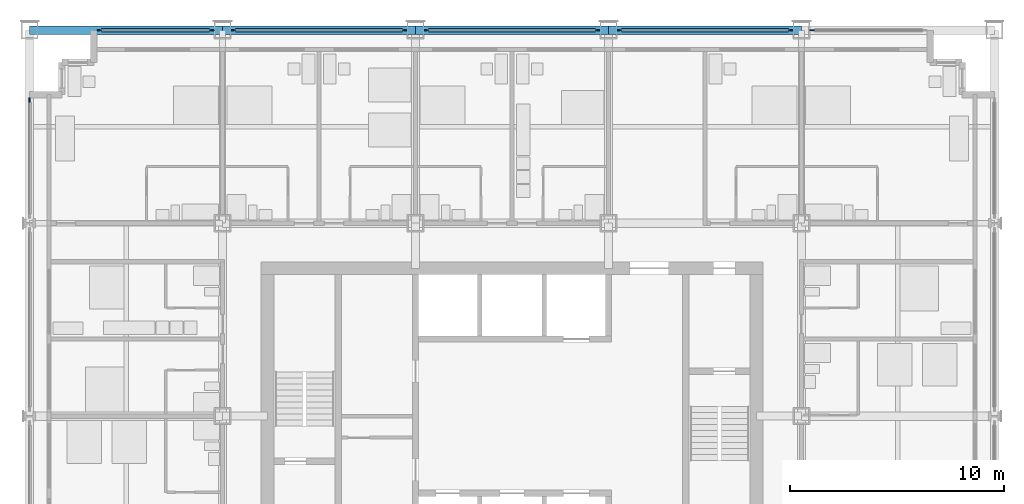
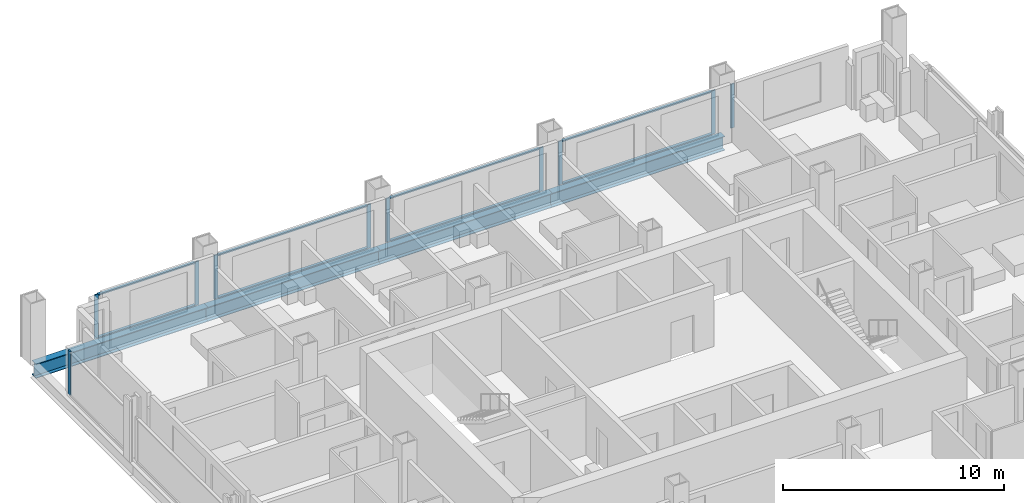
# One storey, part 6 of 17: 18 members, 4 beams, 6 elements without a shape of their own.
"""IFC4 building model written with IfcOpenShell, lengths in metres."""

from ifc_helpers import new_model, si_unit, direction, frame, origin, origin_2d, place, context, subcontext, project, spatial, rectangle, i_section, extrude, material, material_profile, profile_set, type_object, element, aggregate, save


model = new_model("IFC4")

# Units and contexts
model_context = context("Model", 3, precision=1e-05, world=origin(), true_north=direction((0.0, 1.0)))
body_context = subcontext(model_context, "Body", "Model", "MODEL_VIEW")
ifc_project = project(units=[si_unit("LENGTHUNIT", "METRE"), si_unit("AREAUNIT", "SQUARE_METRE"), si_unit("VOLUMEUNIT", "CUBIC_METRE"), si_unit("PLANEANGLEUNIT", "RADIAN"), si_unit("MASSUNIT", "GRAM", prefix="KILO")], contexts=[model_context])

# Site, building, storey
site_placement = place(None, origin())
site = spatial("IfcSite", under=ifc_project, at=site_placement, CompositionType="ELEMENT")
building_placement = place(site_placement, origin())
building = spatial("IfcBuilding", under=site, at=building_placement, Name="Loomwork Tower", CompositionType="ELEMENT")
storey_placement = place(building_placement, frame((0.0, 0.0, 141.800048828125)))
storey = spatial("IfcBuildingStorey", under=building, at=storey_placement, Name="L38", CompositionType="ELEMENT", Elevation=141.800048828125)

# Curtain wall, members
ifc_material_1 = material(Name="Aluminium curtain wall frame", Category="aluminium")
curtain_wall_type = type_object("IfcCurtainWallType", Name="Outer skin glazing hotel", PredefinedType="NOTDEFINED", material=ifc_material_1)
curtain_wall_1_placement = place(storey_placement, origin())
curtain_wall_1 = element("IfcCurtainWall", 1, at=curtain_wall_1_placement, inside=storey, type_object=curtain_wall_type, Name="Outer skin glazing hotel cw/N-0", PredefinedType="NOTDEFINED")
ifc_material_2 = material(Name="Aluminium curtain wall frame", Category="aluminium")
ifc_material_profile_1 = material_profile(ifc_material_2, rectangle(XDim=0.06494140625, YDim=0.199951171875, at=origin_2d()), Name="AL 65x200")
ifc_profile_set_1 = profile_set([ifc_material_profile_1], Name="Aluminium curtain wall frame")
member_type_1 = type_object("IfcMemberType", Name="Outer skin glazing hotel mullion", PredefinedType="MULLION", material=ifc_profile_set_1)
member_1_placement = place(storey_placement, frame((8.5, 36.0, 0.0), z_axis=(0.0, 0.0, 1.0), x_axis=(0.0, -1.0, 0.0)))
member_1 = element("IfcMember", 2, at=member_1_placement, type_object=member_type_1, Name="CW1 mullion 1", PredefinedType="MULLION", context=body_context, shape_type="SweptSolid", body=[
    extrude(rectangle(XDim=0.06494140625, YDim=0.199951171875, at=origin_2d()), origin(), (0.0, 0.0, 1.0), 2.420166015625),
])
member_2_placement = place(storey_placement, frame((3.25, 36.0, 0.0), z_axis=(0.0, 0.0, 1.0), x_axis=(0.0, -1.0, 0.0)))
member_2 = element("IfcMember", 3, at=member_2_placement, type_object=member_type_1, Name="CW1 mullion 2", PredefinedType="MULLION", context=body_context, shape_type="SweptSolid", body=[
    extrude(rectangle(XDim=0.06494140625, YDim=0.199951171875, at=origin_2d()), origin(), (0.0, 0.0, 1.0), 2.420166015625),
])

curtain_wall_2_placement = place(storey_placement, origin())
curtain_wall_2 = element("IfcCurtainWall", 4, at=curtain_wall_2_placement, inside=storey, type_object=curtain_wall_type, Name="Outer skin glazing hotel cw/N-9", PredefinedType="NOTDEFINED")
member_3_placement = place(storey_placement, frame((17.5, 36.0, 0.0), z_axis=(0.0, 0.0, 1.0), x_axis=(0.0, -1.0, 0.0)))
member_3 = element("IfcMember", 5, at=member_3_placement, type_object=member_type_1, Name="CW1 mullion 1", PredefinedType="MULLION", context=body_context, shape_type="SweptSolid", body=[
    extrude(rectangle(XDim=0.06494140625, YDim=0.199951171875, at=origin_2d()), origin(), (0.0, 0.0, 1.0), 2.420166015625),
])
member_4_placement = place(storey_placement, frame((9.5, 36.0, 0.0), z_axis=(0.0, 0.0, 1.0), x_axis=(0.0, -1.0, 0.0)))
member_4 = element("IfcMember", 6, at=member_4_placement, type_object=member_type_1, Name="CW1 mullion 2", PredefinedType="MULLION", context=body_context, shape_type="SweptSolid", body=[
    extrude(rectangle(XDim=0.06494140625, YDim=0.199951171875, at=origin_2d()), origin(), (0.0, 0.0, 1.0), 2.420166015625),
])

curtain_wall_3_placement = place(storey_placement, origin())
curtain_wall_3 = element("IfcCurtainWall", 7, at=curtain_wall_3_placement, inside=storey, type_object=curtain_wall_type, Name="Outer skin glazing hotel cw/N-18", PredefinedType="NOTDEFINED")
member_5_placement = place(storey_placement, frame((26.5, 36.0, 0.0), z_axis=(0.0, 0.0, 1.0), x_axis=(0.0, -1.0, 0.0)))
member_5 = element("IfcMember", 8, at=member_5_placement, type_object=member_type_1, Name="CW1 mullion 1", PredefinedType="MULLION", context=body_context, shape_type="SweptSolid", body=[
    extrude(rectangle(XDim=0.06494140625, YDim=0.199951171875, at=origin_2d()), origin(), (0.0, 0.0, 1.0), 2.420166015625),
])
member_6_placement = place(storey_placement, frame((18.5, 36.0, 0.0), z_axis=(0.0, 0.0, 1.0), x_axis=(0.0, -1.0, 0.0)))
member_6 = element("IfcMember", 9, at=member_6_placement, type_object=member_type_1, Name="CW1 mullion 2", PredefinedType="MULLION", context=body_context, shape_type="SweptSolid", body=[
    extrude(rectangle(XDim=0.06494140625, YDim=0.199951171875, at=origin_2d()), origin(), (0.0, 0.0, 1.0), 2.420166015625),
])

curtain_wall_4_placement = place(storey_placement, origin())
curtain_wall_4 = element("IfcCurtainWall", 10, at=curtain_wall_4_placement, inside=storey, type_object=curtain_wall_type, Name="Outer skin glazing hotel cw/N-27", PredefinedType="NOTDEFINED")
member_7_placement = place(storey_placement, frame((35.5, 36.0, 0.0), z_axis=(0.0, 0.0, 1.0), x_axis=(0.0, -1.0, 0.0)))
member_7 = element("IfcMember", 11, at=member_7_placement, type_object=member_type_1, Name="CW1 mullion 1", PredefinedType="MULLION", context=body_context, shape_type="SweptSolid", body=[
    extrude(rectangle(XDim=0.06494140625, YDim=0.199951171875, at=origin_2d()), origin(), (0.0, 0.0, 1.0), 2.420166015625),
])
member_8_placement = place(storey_placement, frame((27.5, 36.0, 0.0), z_axis=(0.0, 0.0, 1.0), x_axis=(0.0, -1.0, 0.0)))
member_8 = element("IfcMember", 12, at=member_8_placement, type_object=member_type_1, Name="CW1 mullion 2", PredefinedType="MULLION", context=body_context, shape_type="SweptSolid", body=[
    extrude(rectangle(XDim=0.06494140625, YDim=0.199951171875, at=origin_2d()), origin(), (0.0, 0.0, 1.0), 2.420166015625),
])

# Curtain wall, member
curtain_wall_5_placement = place(storey_placement, origin())
curtain_wall_5 = element("IfcCurtainWall", 13, at=curtain_wall_5_placement, inside=storey, type_object=curtain_wall_type, Name="Outer skin glazing hotel cw/N-36", PredefinedType="NOTDEFINED")
member_9_placement = place(storey_placement, frame((36.5, 36.0, 0.0), z_axis=(0.0, 0.0, 1.0), x_axis=(0.0, -1.0, 0.0)))
member_9 = element("IfcMember", 14, at=member_9_placement, type_object=member_type_1, Name="CW1 mullion 2", PredefinedType="MULLION", context=body_context, shape_type="SweptSolid", body=[
    extrude(rectangle(XDim=0.06494140625, YDim=0.199951171875, at=origin_2d()), origin(), (0.0, 0.0, 1.0), 2.420166015625),
])
aggregate(curtain_wall_5, [member_9])

curtain_wall_6_placement = place(storey_placement, origin())
curtain_wall_6 = element("IfcCurtainWall", 15, at=curtain_wall_6_placement, inside=storey, type_object=curtain_wall_type, Name="Outer skin glazing hotel cw/W-27", PredefinedType="NOTDEFINED")
member_10_placement = place(storey_placement, frame((0.0, 32.75, 0.0), z_axis=(0.0, 0.0, 1.0), x_axis=(1.0, 0.0, 0.0)))
member_10 = element("IfcMember", 16, at=member_10_placement, type_object=member_type_1, Name="CW1 mullion 1", PredefinedType="MULLION", context=body_context, shape_type="SweptSolid", body=[
    extrude(rectangle(XDim=0.06494140625, YDim=0.199951171875, at=origin_2d()), origin(), (0.0, 0.0, 1.0), 2.420166015625),
])
aggregate(curtain_wall_6, [member_10])

# Member
ifc_material_3 = material(Name="Aluminium curtain wall frame", Category="aluminium")
ifc_material_profile_2 = material_profile(ifc_material_3, rectangle(XDim=0.14990234375, YDim=0.06494140625, at=origin_2d()), Name="AL 65x150")
ifc_profile_set_2 = profile_set([ifc_material_profile_2], Name="Aluminium curtain wall frame")
member_type_2 = type_object("IfcMemberType", Name="Outer skin glazing hotel transom", PredefinedType="USERDEFINED", material=ifc_profile_set_2)
member_11_placement = place(storey_placement, frame((8.39990234375, 36.0, 0.032470703125), z_axis=(-1.0, 0.0, 0.0), x_axis=(0.0, -1.0, 0.0)))
member_11 = element("IfcMember", 17, at=member_11_placement, type_object=member_type_2, Name="CW1 transom 1.1", ObjectType="TRANSOM", PredefinedType="USERDEFINED", context=body_context, shape_type="SweptSolid", body=[
    extrude(rectangle(XDim=0.14990234375, YDim=0.06494140625, at=origin_2d()), origin(), (0.0, 0.0, 1.0), 5.0498046875),
])

member_12_placement = place(storey_placement, frame((8.39990234375, 36.0, 2.3876953125), z_axis=(-1.0, 0.0, 0.0), x_axis=(0.0, -1.0, 0.0)))
member_12 = element("IfcMember", 18, at=member_12_placement, type_object=member_type_2, Name="CW1 transom 1.2", ObjectType="TRANSOM", PredefinedType="USERDEFINED", context=body_context, shape_type="SweptSolid", body=[
    extrude(rectangle(XDim=0.14990234375, YDim=0.06494140625, at=origin_2d()), origin(), (0.0, 0.0, 1.0), 5.0498046875),
])

aggregate(curtain_wall_1, [member_1, member_2, member_11, member_12])

member_13_placement = place(storey_placement, frame((17.39990234375, 36.0, 0.032470703125), z_axis=(-1.0, 0.0, 0.0), x_axis=(0.0, -1.0, 0.0)))
member_13 = element("IfcMember", 19, at=member_13_placement, type_object=member_type_2, Name="CW1 transom 1.1", ObjectType="TRANSOM", PredefinedType="USERDEFINED", context=body_context, shape_type="SweptSolid", body=[
    extrude(rectangle(XDim=0.14990234375, YDim=0.06494140625, at=origin_2d()), origin(), (0.0, 0.0, 1.0), 7.7998046875),
])

member_14_placement = place(storey_placement, frame((17.39990234375, 36.0, 2.3876953125), z_axis=(-1.0, 0.0, 0.0), x_axis=(0.0, -1.0, 0.0)))
member_14 = element("IfcMember", 20, at=member_14_placement, type_object=member_type_2, Name="CW1 transom 1.2", ObjectType="TRANSOM", PredefinedType="USERDEFINED", context=body_context, shape_type="SweptSolid", body=[
    extrude(rectangle(XDim=0.14990234375, YDim=0.06494140625, at=origin_2d()), origin(), (0.0, 0.0, 1.0), 7.7998046875),
])

aggregate(curtain_wall_2, [member_3, member_4, member_13, member_14])

member_15_placement = place(storey_placement, frame((26.39990234375, 36.0, 0.032470703125), z_axis=(-1.0, 0.0, 0.0), x_axis=(0.0, -1.0, 0.0)))
member_15 = element("IfcMember", 21, at=member_15_placement, type_object=member_type_2, Name="CW1 transom 1.1", ObjectType="TRANSOM", PredefinedType="USERDEFINED", context=body_context, shape_type="SweptSolid", body=[
    extrude(rectangle(XDim=0.14990234375, YDim=0.06494140625, at=origin_2d()), origin(), (0.0, 0.0, 1.0), 7.7998046875),
])

member_16_placement = place(storey_placement, frame((26.39990234375, 36.0, 2.3876953125), z_axis=(-1.0, 0.0, 0.0), x_axis=(0.0, -1.0, 0.0)))
member_16 = element("IfcMember", 22, at=member_16_placement, type_object=member_type_2, Name="CW1 transom 1.2", ObjectType="TRANSOM", PredefinedType="USERDEFINED", context=body_context, shape_type="SweptSolid", body=[
    extrude(rectangle(XDim=0.14990234375, YDim=0.06494140625, at=origin_2d()), origin(), (0.0, 0.0, 1.0), 7.7998046875),
])

aggregate(curtain_wall_3, [member_5, member_6, member_15, member_16])

member_17_placement = place(storey_placement, frame((35.39990234375, 36.0, 0.032470703125), z_axis=(-1.0, 0.0, 0.0), x_axis=(0.0, -1.0, 0.0)))
member_17 = element("IfcMember", 23, at=member_17_placement, type_object=member_type_2, Name="CW1 transom 1.1", ObjectType="TRANSOM", PredefinedType="USERDEFINED", context=body_context, shape_type="SweptSolid", body=[
    extrude(rectangle(XDim=0.14990234375, YDim=0.06494140625, at=origin_2d()), origin(), (0.0, 0.0, 1.0), 7.7998046875),
])

member_18_placement = place(storey_placement, frame((35.39990234375, 36.0, 2.3876953125), z_axis=(-1.0, 0.0, 0.0), x_axis=(0.0, -1.0, 0.0)))
member_18 = element("IfcMember", 24, at=member_18_placement, type_object=member_type_2, Name="CW1 transom 1.2", ObjectType="TRANSOM", PredefinedType="USERDEFINED", context=body_context, shape_type="SweptSolid", body=[
    extrude(rectangle(XDim=0.14990234375, YDim=0.06494140625, at=origin_2d()), origin(), (0.0, 0.0, 1.0), 7.7998046875),
])

aggregate(curtain_wall_4, [member_7, member_8, member_17, member_18])

# Beams
ifc_material_4 = material(Name="Steel ASTM A992", Category="steel")
ifc_material_profile_3 = material_profile(ifc_material_4, i_section(OverallWidth=0.381103515625, OverallDepth=0.77978515625, WebThickness=0.01806640625, FlangeThickness=0.0302734375, at=origin_2d()), Name="W30x191")
ifc_profile_set_3 = profile_set([ifc_material_profile_3], Name="Steel ASTM A992")
beam_type = type_object("IfcBeamType", Name="SPANDREL GIRDER W30x191", PredefinedType="SPANDREL", material=ifc_profile_set_3)
for number, where, z_axis, x_axis, name in (
    (25, (0.0, 36.0, -0.58984375), (1.0, 0.0, 0.0), (0.0, 1.0, 0.0), "Spandrel Girder H/2-H/3 L38"),
    (26, (9.0, 36.0, -0.58984375), (1.0, 0.0, 0.0), (0.0, 1.0, 0.0), "Spandrel Girder H/3-H/4 L38"),
    (27, (18.0, 36.0, -0.58984375), (1.0, 0.0, 0.0), (0.0, 1.0, 0.0), "Spandrel Girder H/4-H/5 L38"),
    (28, (27.0, 36.0, -0.58984375), (1.0, 0.0, 0.0), (0.0, 1.0, 0.0), "Spandrel Girder H/5-H/6 L38"),
):
    element("IfcBeam", number, at=place(storey_placement, frame(where, z_axis=z_axis, x_axis=x_axis)), inside=storey, type_object=beam_type, Name=name, PredefinedType="SPANDREL", context=body_context, shape_type="SweptSolid", body=[
        extrude(i_section(OverallWidth=0.381103515625, OverallDepth=0.77978515625, WebThickness=0.01806640625, FlangeThickness=0.0302734375, at=origin_2d()), origin(), (0.0, 0.0, 1.0), 9.0),
    ])

save(model, "model.ifc")
